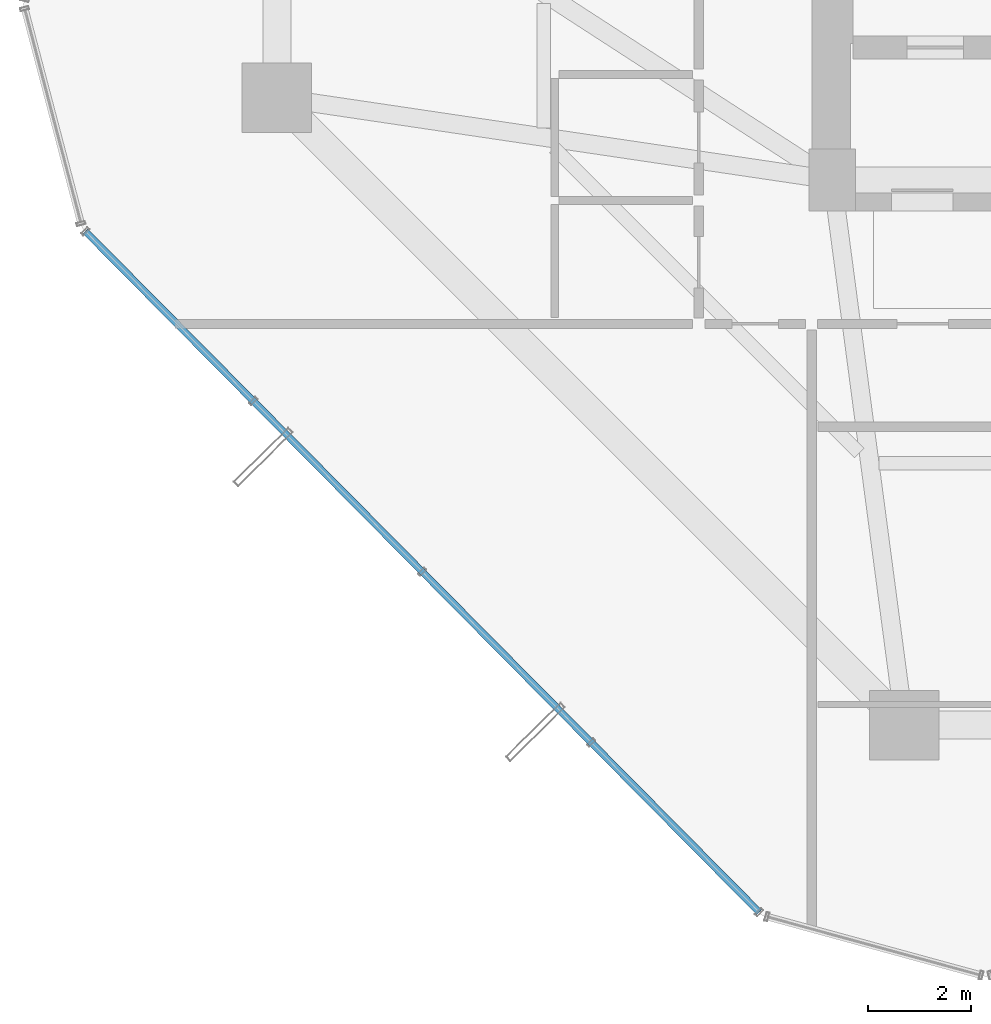
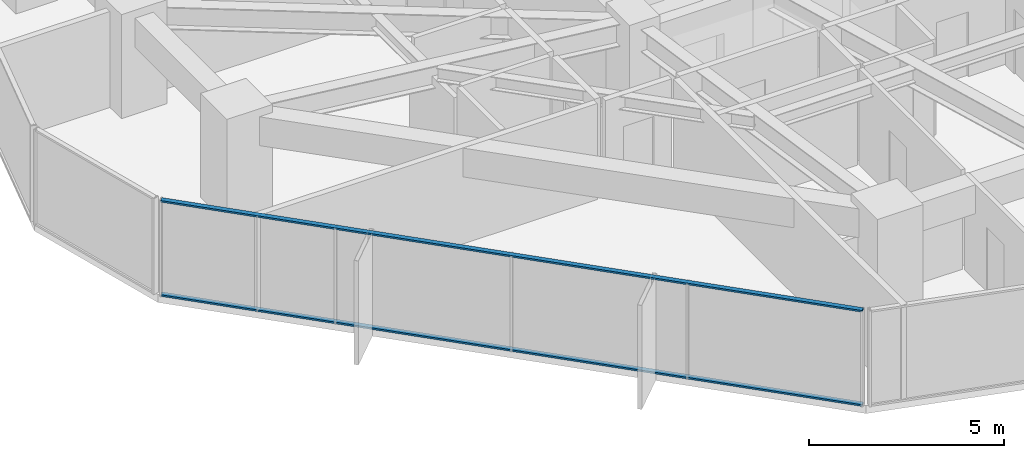
# One storey, part 3 of 39: 2 members, 1 element without a shape of its own.
"""IFC4 building model written with IfcOpenShell, lengths in metres."""

from ifc_helpers import new_model, si_unit, direction, frame, origin, origin_2d, place, context, subcontext, project, spatial, hollow_rectangle, extrude, source, transform, mapped, material, layer, layer_set, material_profile, profile_set, type_object, element, aggregate, save


model = new_model("IFC4")

# Units and contexts
model_context = context("Model", 3, precision=1e-05, world=origin(), true_north=direction((0.0, 1.0)))
body_context = subcontext(model_context, "Body", "Model", "MODEL_VIEW")
ifc_project = project(units=[si_unit("LENGTHUNIT", "METRE"), si_unit("AREAUNIT", "SQUARE_METRE"), si_unit("VOLUMEUNIT", "CUBIC_METRE"), si_unit("PLANEANGLEUNIT", "RADIAN"), si_unit("MASSUNIT", "GRAM", prefix="KILO")], contexts=[model_context])

# Site, building, storey
site_placement = place(None, origin())
site = spatial("IfcSite", under=ifc_project, at=site_placement, CompositionType="ELEMENT")
building_placement = place(site_placement, origin())
building = spatial("IfcBuilding", under=site, at=building_placement, Name="Veraguas Prism Commons", CompositionType="ELEMENT")
storey_placement = place(building_placement, frame((0.0, 0.0, 73.85009765625)))
storey = spatial("IfcBuildingStorey", under=building, at=storey_placement, Name="L20", CompositionType="ELEMENT", Elevation=73.85009765625)

# Curtain wall, members
ifc_material = material(Name="Anodised aluminium EN AW-6063 T6", Category="aluminium")
ifc_layer = layer(ifc_material, 0.169921875, Name="Unitised Flush Curtain Wall Zone 1", Category="aluminium")
ifc_layer_set = layer_set([ifc_layer], Name="Anodised aluminium EN AW-6063 T6")
curtain_wall_type = type_object("IfcCurtainWallType", Name="Unitised Flush Curtain Wall Zone 1", PredefinedType="NOTDEFINED", material=ifc_layer_set)
curtain_wall_placement = place(storey_placement, origin())
curtain_wall = element("IfcCurtainWall", 1, at=curtain_wall_placement, inside=storey, type_object=curtain_wall_type, Name="Tower Facade Curtain Wall L20-F4", PredefinedType="NOTDEFINED")
ifc_material_profile = material_profile(ifc_material, hollow_rectangle(XDim=0.054931640625, YDim=0.135009765625, WallThickness=0.0029296875, at=origin_2d()), Name="AL55X135X3")
ifc_profile_set = profile_set([ifc_material_profile], Name="Anodised aluminium EN AW-6063 T6")
member_type = type_object("IfcMemberType", Name="Curtain Wall Transom Standard AL 55x135x3", PredefinedType="USERDEFINED", material=ifc_profile_set)
shared_shape = source(origin(), body_context, "Body", "SweptSolid", [
    extrude(hollow_rectangle(XDim=0.054931640625, YDim=0.135009765625, WallThickness=0.0029296875, at=origin_2d()), origin(), (0.0, 0.0, 1.0), 18.6240234375),
])
member_1_placement = place(storey_placement, frame((2.67626953125, 15.999267578125, 0.02734375), z_axis=(0.703393838109, -0.710800329565, 0.0), x_axis=(0.0, 0.0, 1.0)))
member_1 = element("IfcMember", 2, at=member_1_placement, type_object=member_type, Name="CW-Z1 Transom 1", ObjectType="TRANSOM", PredefinedType="USERDEFINED", context=body_context, shape_type="MappedRepresentation", body=[
    mapped(shared_shape, transform((0.0, 0.0, 0.0), scale=1.0)),
])
member_2_placement = place(storey_placement, frame((2.67626953125, 15.999267578125, 2.972412109375), z_axis=(0.703393838109, -0.710800329565, 0.0), x_axis=(0.0, 0.0, 1.0)))
member_2 = element("IfcMember", 3, at=member_2_placement, type_object=member_type, Name="CW-Z1 Transom 2", ObjectType="TRANSOM", PredefinedType="USERDEFINED", context=body_context, shape_type="MappedRepresentation", body=[
    mapped(shared_shape, transform((0.0, 0.0, 0.0), scale=1.0)),
])
aggregate(curtain_wall, [member_1, member_2])

save(model, "model.ifc")
